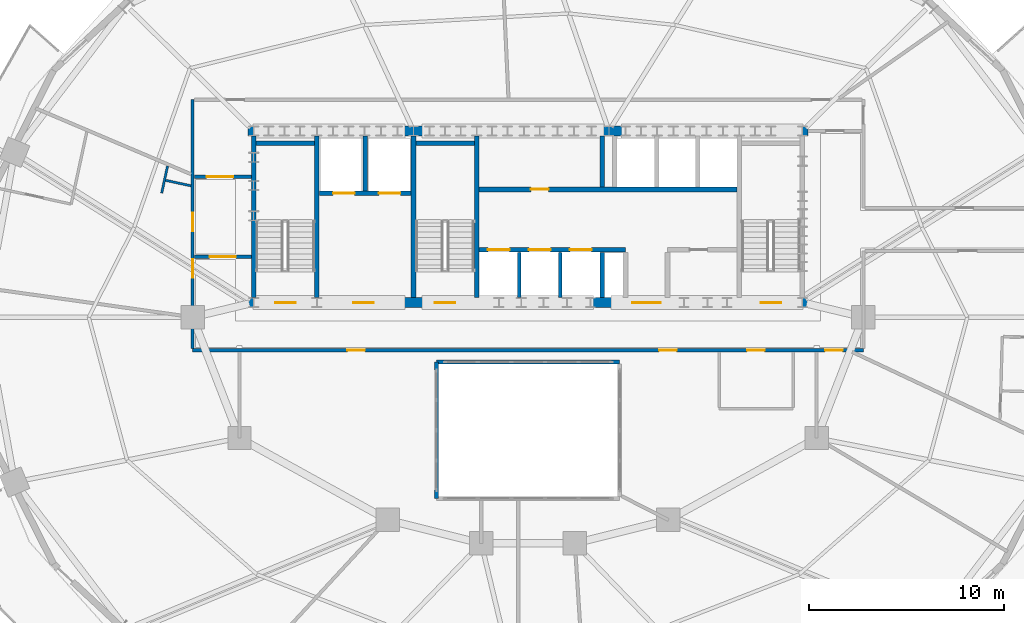
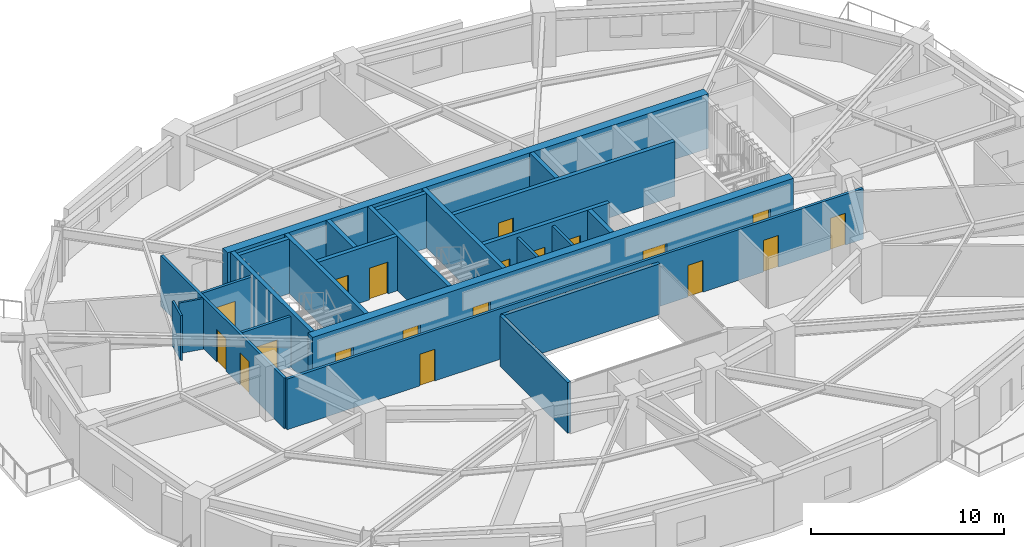
# One storey, part 7 of 13: 24 walls, 19 doors, 19 openings.
"""IFC4 building model written with IfcOpenShell, lengths in metres."""

from ifc_helpers import new_model, si_unit, direction, frame, frame_2d, origin, place, context, subcontext, project, spatial, rectangle, extrude, material, layer, layer_set, type_object, element, fill, save


model = new_model("IFC4")

# Units and contexts
model_context = context("Model", 3, precision=1e-05, world=origin(), true_north=direction((0.0, 1.0)))
body_context = subcontext(model_context, "Body", "Model", "MODEL_VIEW")
ifc_project = project(units=[si_unit("LENGTHUNIT", "METRE"), si_unit("AREAUNIT", "SQUARE_METRE"), si_unit("VOLUMEUNIT", "CUBIC_METRE"), si_unit("PLANEANGLEUNIT", "RADIAN"), si_unit("MASSUNIT", "GRAM", prefix="KILO")], contexts=[model_context])

# Site, building, storey
site_placement = place(None, origin())
site = spatial("IfcSite", under=ifc_project, at=site_placement, CompositionType="ELEMENT")
building_placement = place(site_placement, origin())
building = spatial("IfcBuilding", under=site, at=building_placement, Name="Haldorwick Loom Tower", CompositionType="ELEMENT")
storey_placement = place(building_placement, frame((0.0, 0.0, 120.800048828125)))
storey = spatial("IfcBuildingStorey", under=building, at=storey_placement, Name="L32", CompositionType="ELEMENT", Elevation=120.800048828125)

# Wall, openings, doors
ifc_material_1 = material(Name="Fire-Rated Type X Gypsum Stud Assembly EI 60")
ifc_layer_1 = layer(ifc_material_1, 0.159912109375, Name="Fire-Rated Type X Gypsum Stud Assembly EI 60")
ifc_layer_set_1 = layer_set([ifc_layer_1], Name="Fire-Rated Type X Gypsum Stud Assembly EI 60")
wall_type_1 = type_object("IfcWallType", Name="ARC-WL-FIRE160", PredefinedType="PARTITIONING", material=ifc_layer_set_1)
wall_1_placement = place(storey_placement, frame((18.800048828125, 24.300048828125, 0.0), z_axis=(0.0, 0.0, 1.0), x_axis=(1.0, 0.0, 0.0)))
wall_1 = element("IfcWall", 1, at=wall_1_placement, inside=storey, type_object=wall_type_1, Name="L32 Residential Fire Partition L32-CR-SP", PredefinedType="PARTITIONING", context=body_context, shape_type="SweptSolid", body=[
    extrude(rectangle(XDim=34.39990234375, YDim=0.159912109375, at=frame_2d((17.199951171875, 0.0))), origin(), (0.0, 0.0, 1.0), 3.195068359375),
])
opening_1_placement = place(wall_1_placement, frame((7.929443359375, 0.0, 0.0)))
opening_1 = element("IfcOpeningElement", 2, at=opening_1_placement, cuts=wall_1, Name="Opening D-FD60A", PredefinedType="OPENING", context=body_context, shape_type="SweptSolid", body=[
    extrude(rectangle(XDim=0.89990234375, YDim=2.0, at=frame_2d((0.449951171875, 1.0))), frame((0.0, 0.08984375, 0.0), z_axis=(0.0, -1.0, 0.0), x_axis=(1.0, 0.0, 0.0)), (0.0, 0.0, 1.0), 0.179931640625),
])
opening_2_placement = place(wall_1_placement, frame((23.916748046875, 0.0, 0.0)))
opening_2 = element("IfcOpeningElement", 3, at=opening_2_placement, cuts=wall_1, Name="Opening D-FD60A", PredefinedType="OPENING", context=body_context, shape_type="SweptSolid", body=[
    extrude(rectangle(XDim=0.89990234375, YDim=2.0, at=frame_2d((0.449951171875, 1.0))), frame((0.0, 0.08984375, 0.0), z_axis=(0.0, -1.0, 0.0), x_axis=(1.0, 0.0, 0.0)), (0.0, 0.0, 1.0), 0.179931640625),
])
opening_3_placement = place(wall_1_placement, frame((28.437255859375, 0.0, 0.0)))
opening_3 = element("IfcOpeningElement", 4, at=opening_3_placement, cuts=wall_1, Name="Opening D-FD60A", PredefinedType="OPENING", context=body_context, shape_type="SweptSolid", body=[
    extrude(rectangle(XDim=0.89990234375, YDim=2.0, at=frame_2d((0.449951171875, 1.0))), frame((0.0, 0.08984375, 0.0), z_axis=(0.0, -1.0, 0.0), x_axis=(1.0, 0.0, 0.0)), (0.0, 0.0, 1.0), 0.179931640625),
])
opening_4_placement = place(wall_1_placement, frame((32.436767578125, 0.0, 0.0)))
opening_4 = element("IfcOpeningElement", 5, at=opening_4_placement, cuts=wall_1, Name="Opening D-FD60A", PredefinedType="OPENING", context=body_context, shape_type="SweptSolid", body=[
    extrude(rectangle(XDim=0.89990234375, YDim=2.0, at=frame_2d((0.449951171875, 1.0))), frame((0.0, 0.08984375, 0.0), z_axis=(0.0, -1.0, 0.0), x_axis=(1.0, 0.0, 0.0)), (0.0, 0.0, 1.0), 0.179931640625),
])
ifc_material_2 = material(Name="Hollow Steel Fire Door Assembly", Category="steel")
door_type_1 = type_object("IfcDoorType", Name="ARC-DR-FD60-90", OperationType="NOTDEFINED", PredefinedType="DOOR", material=ifc_material_2)
door_1_placement = place(opening_1_placement, origin())
door_1 = element("IfcDoor", 6, at=door_1_placement, inside=storey, type_object=door_type_1, Name="L32 L32 Central Residential Corridor to Community Library Hall 2 Door", OperationType="SINGLE_SWING_LEFT", OverallHeight=2.0, OverallWidth=0.89990234375, PredefinedType="DOOR", context=body_context, shape_type="SweptSolid", body=[
    extrude(rectangle(XDim=0.89990234375, YDim=2.0, at=frame_2d((0.449951171875, 1.0))), frame((0.0, 0.02490234375, 0.0), z_axis=(0.0, -1.0, 0.0), x_axis=(1.0, 0.0, 0.0)), (0.0, 0.0, 1.0), 0.050048828125),
])
fill(opening_1, door_1)
door_2_placement = place(opening_2_placement, origin())
door_2 = element("IfcDoor", 7, at=door_2_placement, inside=storey, type_object=door_type_1, Name="L32 L32 Central Residential Corridor to Community Library Hall 1 Door", OperationType="SINGLE_SWING_LEFT", OverallHeight=2.0, OverallWidth=0.89990234375, PredefinedType="DOOR", context=body_context, shape_type="SweptSolid", body=[
    extrude(rectangle(XDim=0.89990234375, YDim=2.0, at=frame_2d((0.449951171875, 1.0))), frame((0.0, 0.02490234375, 0.0), z_axis=(0.0, -1.0, 0.0), x_axis=(1.0, 0.0, 0.0)), (0.0, 0.0, 1.0), 0.050048828125),
])
fill(opening_2, door_2)
door_3_placement = place(opening_3_placement, origin())
door_3 = element("IfcDoor", 8, at=door_3_placement, inside=storey, type_object=door_type_1, Name="L32 L32 Central Residential Corridor to Common Accessible WC Door", OperationType="SINGLE_SWING_LEFT", OverallHeight=2.0, OverallWidth=0.89990234375, PredefinedType="DOOR", context=body_context, shape_type="SweptSolid", body=[
    extrude(rectangle(XDim=0.89990234375, YDim=2.0, at=frame_2d((0.449951171875, 1.0))), frame((0.0, 0.02490234375, 0.0), z_axis=(0.0, -1.0, 0.0), x_axis=(1.0, 0.0, 0.0)), (0.0, 0.0, 1.0), 0.050048828125),
])
fill(opening_3, door_3)
door_4_placement = place(opening_4_placement, origin())
door_4 = element("IfcDoor", 9, at=door_4_placement, inside=storey, type_object=door_type_1, Name="L32 L32 Central Residential Corridor to Tenant Meeting Room 1 Door", OperationType="SINGLE_SWING_LEFT", OverallHeight=2.0, OverallWidth=0.89990234375, PredefinedType="DOOR", context=body_context, shape_type="SweptSolid", body=[
    extrude(rectangle(XDim=0.89990234375, YDim=2.0, at=frame_2d((0.449951171875, 1.0))), frame((0.0, 0.02490234375, 0.0), z_axis=(0.0, -1.0, 0.0), x_axis=(1.0, 0.0, 0.0)), (0.0, 0.0, 1.0), 0.050048828125),
])
fill(opening_4, door_4)

wall_2_placement = place(storey_placement, frame((18.800048828125, 24.383056640625, 0.0), z_axis=(0.0, 0.0, 1.0), x_axis=(0.0, 1.0, 0.0)))
wall_2 = element("IfcWall", 10, at=wall_2_placement, inside=storey, type_object=wall_type_1, Name="L32 Residential Fire Partition L32-CR-W0", PredefinedType="PARTITIONING", context=body_context, shape_type="SweptSolid", body=[
    extrude(rectangle(XDim=12.766845703125, YDim=0.159912109375, at=frame_2d((6.38330078125, 0.0))), origin(), (0.0, 0.0, 1.0), 3.195068359375),
])
opening_5_placement = place(wall_2_placement, frame((6.0185546875, 0.0, 0.0)))
opening_5 = element("IfcOpeningElement", 11, at=opening_5_placement, cuts=wall_2, Name="Opening D-FL95", PredefinedType="OPENING", context=body_context, shape_type="SweptSolid", body=[
    extrude(rectangle(XDim=0.949951171875, YDim=2.0400390625, at=frame_2d((0.47509765625, 1.02001953125))), frame((0.0, 0.08984375, 0.0), z_axis=(0.0, -1.0, 0.0), x_axis=(1.0, 0.0, 0.0)), (0.0, 0.0, 1.0), 0.179931640625),
])
opening_6_placement = place(wall_2_placement, frame((3.63232421875, 0.0, 0.0)))
opening_6 = element("IfcOpeningElement", 12, at=opening_6_placement, cuts=wall_2, Name="Opening D-FL95", PredefinedType="OPENING", context=body_context, shape_type="SweptSolid", body=[
    extrude(rectangle(XDim=0.949951171875, YDim=2.0400390625, at=frame_2d((0.47509765625, 1.02001953125))), frame((0.0, 0.08984375, 0.0), z_axis=(0.0, -1.0, 0.0), x_axis=(1.0, 0.0, 0.0)), (0.0, 0.0, 1.0), 0.179931640625),
])
ifc_material_3 = material(Name="Solid Core Birch Architectural Door")
door_type_2 = type_object("IfcDoorType", Name="ARC-DR-FLAT95", OperationType="NOTDEFINED", PredefinedType="DOOR", material=ifc_material_3)
door_5_placement = place(opening_5_placement, frame((0.949951171875, 0.0, 0.0), z_axis=(0.0, 0.0, 1.0), x_axis=(-1.0, 0.0, 0.0)))
door_5 = element("IfcDoor", 13, at=door_5_placement, inside=storey, type_object=door_type_2, Name="L32 Unit 32B Kitchen and Studio Living Room to L32 West Residential Corr", OperationType="SINGLE_SWING_LEFT", OverallHeight=2.0400390625, OverallWidth=0.949951171875, PredefinedType="DOOR", context=body_context, shape_type="SweptSolid", body=[
    extrude(rectangle(XDim=0.949951171875, YDim=2.0400390625, at=frame_2d((0.47509765625, 1.02001953125))), frame((0.0, 0.02490234375, 0.0), z_axis=(0.0, -1.0, 0.0), x_axis=(1.0, 0.0, 0.0)), (0.0, 0.0, 1.0), 0.050048828125),
])
fill(opening_5, door_5)
door_6_placement = place(opening_6_placement, frame((0.949951171875, 0.0, 0.0), z_axis=(0.0, 0.0, 1.0), x_axis=(-1.0, 0.0, 0.0)))
door_6 = element("IfcDoor", 14, at=door_6_placement, inside=storey, type_object=door_type_2, Name="L32 Unit 32B Kitchen and Studio Living Room to L32 Central Residential C", OperationType="SINGLE_SWING_RIGHT", OverallHeight=2.0400390625, OverallWidth=0.949951171875, PredefinedType="DOOR", context=body_context, shape_type="SweptSolid", body=[
    extrude(rectangle(XDim=0.949951171875, YDim=2.0400390625, at=frame_2d((0.47509765625, 1.02001953125))), frame((0.0, 0.02490234375, 0.0), z_axis=(0.0, -1.0, 0.0), x_axis=(1.0, 0.0, 0.0)), (0.0, 0.0, 1.0), 0.050048828125),
])
fill(opening_6, door_6)

# Wall, opening, door
wall_3_placement = place(storey_placement, frame((18.883056640625, 29.10009765625, 0.0), z_axis=(0.0, 0.0, 1.0), x_axis=(1.0, 0.0, 0.0)))
wall_3 = element("IfcWall", 15, at=wall_3_placement, inside=storey, type_object=wall_type_1, Name="L32 Residential Fire Partition L32-CR-WSJ", PredefinedType="PARTITIONING", context=body_context, shape_type="SweptSolid", body=[
    extrude(rectangle(XDim=2.923828125, YDim=0.159912109375, at=frame_2d((1.4619140625, 0.0))), origin(), (0.0, 0.0, 1.0), 3.195068359375),
])
opening_7_placement = place(wall_3_placement, frame((0.787109375, 0.0, 0.0)))
opening_7 = element("IfcOpeningElement", 16, at=opening_7_placement, cuts=wall_3, Name="Opening D-CR15", PredefinedType="OPENING", context=body_context, shape_type="SweptSolid", body=[
    extrude(rectangle(XDim=1.35009765625, YDim=2.0, at=frame_2d((0.675048828125, 1.0))), frame((0.0, 0.08984375, 0.0), z_axis=(0.0, -1.0, 0.0), x_axis=(1.0, 0.0, 0.0)), (0.0, 0.0, 1.0), 0.179931640625),
])
ifc_material_4 = material(Name="Thermally Broken Anodized Aluminium and Tempered Glass", Category="aluminium")
door_type_3 = type_object("IfcDoorType", Name="ARC-DR-COR150", OperationType="NOTDEFINED", PredefinedType="DOOR", material=ifc_material_4)
door_7_placement = place(opening_7_placement, origin())
door_7 = element("IfcDoor", 17, at=door_7_placement, inside=storey, type_object=door_type_3, Name="L32 L32 West Residential Corridor to L32 Central Residential Corridor Do", OperationType="DOUBLE_DOOR_SINGLE_SWING", OverallHeight=2.0, OverallWidth=1.35009765625, PredefinedType="DOOR", context=body_context, shape_type="SweptSolid", body=[
    extrude(rectangle(XDim=1.35009765625, YDim=2.0, at=frame_2d((0.675048828125, 1.0))), frame((0.0, 0.02490234375, 0.0), z_axis=(0.0, -1.0, 0.0), x_axis=(1.0, 0.0, 0.0)), (0.0, 0.0, 1.0), 0.050048828125),
])
fill(opening_7, door_7)

wall_4_placement = place(storey_placement, frame((18.883056640625, 33.199951171875, 0.0), z_axis=(0.0, 0.0, 1.0), x_axis=(1.0, 0.0, 0.0)))
wall_4 = element("IfcWall", 18, at=wall_4_placement, inside=storey, type_object=wall_type_1, Name="L32 Residential Fire Partition L32-CR-WNJ", PredefinedType="PARTITIONING", context=body_context, shape_type="SweptSolid", body=[
    extrude(rectangle(XDim=2.923828125, YDim=0.159912109375, at=frame_2d((1.4619140625, 0.0))), origin(), (0.0, 0.0, 1.0), 3.195068359375),
])
opening_8_placement = place(wall_4_placement, frame((0.637939453125, 0.0, 0.0)))
opening_8 = element("IfcOpeningElement", 19, at=opening_8_placement, cuts=wall_4, Name="Opening D-CR15", PredefinedType="OPENING", context=body_context, shape_type="SweptSolid", body=[
    extrude(rectangle(XDim=1.35009765625, YDim=2.0, at=frame_2d((0.675048828125, 1.0))), frame((0.0, 0.08984375, 0.0), z_axis=(0.0, -1.0, 0.0), x_axis=(1.0, 0.0, 0.0)), (0.0, 0.0, 1.0), 0.179931640625),
])
door_8_placement = place(opening_8_placement, origin())
door_8 = element("IfcDoor", 20, at=door_8_placement, inside=storey, type_object=door_type_3, Name="L32 L32 North Residential Corridor to L32 West Residential Corridor Door", OperationType="DOUBLE_DOOR_SINGLE_SWING", OverallHeight=2.0, OverallWidth=1.35009765625, PredefinedType="DOOR", context=body_context, shape_type="SweptSolid", body=[
    extrude(rectangle(XDim=1.35009765625, YDim=2.0, at=frame_2d((0.675048828125, 1.0))), frame((0.0, 0.02490234375, 0.0), z_axis=(0.0, -1.0, 0.0), x_axis=(1.0, 0.0, 0.0)), (0.0, 0.0, 1.0), 0.050048828125),
])
fill(opening_8, door_8)

# Walls
ifc_material_5 = material(Name="Fire-Rated Type X Gypsum Stud Assembly EI 120")
ifc_layer_2 = layer(ifc_material_5, 0.199951171875, Name="Fire-Rated Type X Gypsum Stud Assembly EI 120")
ifc_layer_set_2 = layer_set([ifc_layer_2], Name="Fire-Rated Type X Gypsum Stud Assembly EI 120")
wall_type_2 = type_object("IfcWallType", Name="ARC-WL-FIRE200", PredefinedType="PARTITIONING", material=ifc_layer_set_2)
wall_5_placement = place(storey_placement, frame((31.300048828125, 23.699951171875, 0.0), z_axis=(0.0, 0.0, 1.0), x_axis=(1.0, 0.0, 0.0)))
element("IfcWall", 21, at=wall_5_placement, inside=storey, type_object=wall_type_2, Name="L32 Atrium Fire Enclosure Wall N", PredefinedType="PARTITIONING", context=body_context, shape_type="SweptSolid", body=[
    extrude(rectangle(XDim=9.39990234375, YDim=0.199951171875, at=frame_2d((4.699951171875, 0.0))), origin(), (0.0, 0.0, 1.0), 3.195068359375),
])
wall_6_placement = place(storey_placement, frame((31.300048828125, 16.699951171875, 0.0), z_axis=(0.0, 0.0, 1.0), x_axis=(0.0, 1.0, 0.0)))
element("IfcWall", 22, at=wall_6_placement, inside=storey, type_object=wall_type_2, Name="L32 Atrium Fire Enclosure Wall W", PredefinedType="PARTITIONING", context=body_context, shape_type="SweptSolid", body=[
    extrude(rectangle(XDim=7.0, YDim=0.199951171875, at=frame_2d((3.5, 0.0))), origin(), (0.0, 0.0, 1.0), 3.195068359375),
])
ifc_material_6 = material(Name="Acoustic Gypsum Stud Assembly STC 55")
ifc_layer_3 = layer(ifc_material_6, 0.1201171875, Name="Acoustic Gypsum Stud Assembly STC 55")
ifc_layer_set_3 = layer_set([ifc_layer_3], Name="Acoustic Gypsum Stud Assembly STC 55")
wall_type_3 = type_object("IfcWallType", Name="ARC-WL-PART120", PredefinedType="PARTITIONING", material=ifc_layer_set_3)
wall_7_placement = place(storey_placement, frame((17.51220703125, 33.750732421875, 0.0), z_axis=(0.0, 0.0, 1.0), x_axis=(-0.21129277594, -0.977422816818, 0.0)))
element("IfcWall", 23, at=wall_7_placement, inside=storey, type_object=wall_type_3, Name="L32 Unit 32B Interior Partition", PredefinedType="PARTITIONING", context=body_context, shape_type="SweptSolid", body=[
    extrude(rectangle(XDim=1.417724609375, YDim=0.1201171875, at=frame_2d((0.708984375, 0.0))), origin(), (0.0, 0.0, 1.0), 2.826904296875),
])
wall_8_placement = place(storey_placement, frame((18.717041015625, 32.735107421875, 0.0), z_axis=(0.0, 0.0, 1.0), x_axis=(-0.977432620784, 0.211247418512, 0.0)))
element("IfcWall", 24, at=wall_8_placement, inside=storey, type_object=wall_type_3, Name="L32 Unit 32B Interior Partition", PredefinedType="PARTITIONING", context=body_context, shape_type="SweptSolid", body=[
    extrude(rectangle(XDim=1.3291015625, YDim=0.1201171875, at=frame_2d((0.66455078125, 0.0))), origin(), (0.0, 0.0, 1.0), 3.195068359375),
])
ifc_layer_4 = layer(ifc_material_5, 0.1650390625, Name="Fire-Rated Type X Gypsum Stud Assembly EI 120")
ifc_layer_set_4 = layer_set([ifc_layer_4], Name="Fire-Rated Type X Gypsum Stud Assembly EI 120")
wall_type_4 = type_object("IfcWallType", Name="ARC-WL-SHAFT160", PredefinedType="MOVABLE", material=ifc_layer_set_4)
for number, where, z_axis, x_axis, name in (
    (25, (35.550048828125, 27.0029296875, 0.0), (0.0, 0.0, 1.0), (0.0, 1.0, 0.0), "L32 Mid-Rise Hoistway Divider 1"),
    (26, (37.64990234375, 27.0029296875, 0.0), (0.0, 0.0, 1.0), (0.0, 1.0, 0.0), "L32 Mid-Rise Hoistway Divider 2"),
):
    element("IfcWall", number, at=place(storey_placement, frame(where, z_axis=z_axis, x_axis=x_axis)), inside=storey, type_object=wall_type_4, Name=name, PredefinedType="MOVABLE", context=body_context, shape_type="SweptSolid", body=[
        extrude(rectangle(XDim=2.323974609375, YDim=0.159912109375, at=frame_2d((1.162109375, 0.0))), origin(), (0.0, 0.0, 1.0), 3.195068359375),
    ])

# Wall, openings, doors
ifc_material_7 = material(Name="Concrete C60 (60 MPa)", Category="concrete")
ifc_layer_5 = layer(ifc_material_7, 0.5, Name="Concrete C60 (60 MPa)", Category="concrete")
ifc_layer_set_5 = layer_set([ifc_layer_5], Name="Concrete C60 (60 MPa)")
wall_type_5 = type_object("IfcWallType", Name="STR-WL-CORE500", PredefinedType="SHEAR", material=ifc_layer_set_5)
wall_9_placement = place(storey_placement, frame((21.64990234375, 26.75, 0.0), z_axis=(0.0, 0.0, 1.0), x_axis=(1.0, 0.0, 0.0)))
wall_9 = element("IfcWall", 27, at=wall_9_placement, inside=storey, type_object=wall_type_5, Name="L32 Core Shear Wall S", PredefinedType="SHEAR", context=body_context, shape_type="SweptSolid", body=[
    extrude(rectangle(XDim=28.7001953125, YDim=0.5, at=frame_2d((14.35009765625, 0.0))), origin(), (0.0, 0.0, 1.0), 3.449951171875),
])
opening_9_placement = place(wall_9_placement, frame((1.375, 0.0, 0.0)))
opening_9 = element("IfcOpeningElement", 28, at=opening_9_placement, cuts=wall_9, Name="Opening D-FD60", PredefinedType="OPENING", context=body_context, shape_type="SweptSolid", body=[
    extrude(rectangle(XDim=1.050048828125, YDim=2.0, at=frame_2d((0.52490234375, 1.0))), frame((0.0, 0.260009765625, 0.0), z_axis=(0.0, -1.0, 0.0), x_axis=(1.0, 0.0, 0.0)), (0.0, 0.0, 1.0), 0.52001953125),
])
opening_10_placement = place(wall_9_placement, frame((5.375, 0.0, 0.0)))
opening_10 = element("IfcOpeningElement", 29, at=opening_10_placement, cuts=wall_9, Name="Opening D-FD60", PredefinedType="OPENING", context=body_context, shape_type="SweptSolid", body=[
    extrude(rectangle(XDim=1.050048828125, YDim=2.0, at=frame_2d((0.52490234375, 1.0))), frame((0.0, 0.260009765625, 0.0), z_axis=(0.0, -1.0, 0.0), x_axis=(1.0, 0.0, 0.0)), (0.0, 0.0, 1.0), 0.52001953125),
])
opening_11_placement = place(wall_9_placement, frame((9.574951171875, 0.0, 0.0)))
opening_11 = element("IfcOpeningElement", 30, at=opening_11_placement, cuts=wall_9, Name="Opening D-FD60", PredefinedType="OPENING", context=body_context, shape_type="SweptSolid", body=[
    extrude(rectangle(XDim=1.050048828125, YDim=2.0, at=frame_2d((0.52490234375, 1.0))), frame((0.0, 0.260009765625, 0.0), z_axis=(0.0, -1.0, 0.0), x_axis=(1.0, 0.0, 0.0)), (0.0, 0.0, 1.0), 0.52001953125),
])
opening_12_placement = place(wall_9_placement, frame((19.705078125, 0.0, 0.0)))
opening_12 = element("IfcOpeningElement", 31, at=opening_12_placement, cuts=wall_9, Name="Opening D-LB15", PredefinedType="OPENING", context=body_context, shape_type="SweptSolid", body=[
    extrude(rectangle(XDim=1.449951171875, YDim=2.0, at=frame_2d((0.72509765625, 1.0))), frame((0.0, 0.260009765625, 0.0), z_axis=(0.0, -1.0, 0.0), x_axis=(1.0, 0.0, 0.0)), (0.0, 0.0, 1.0), 0.52001953125),
])
opening_13_placement = place(wall_9_placement, frame((26.27490234375, 0.0, 0.0)))
opening_13 = element("IfcOpeningElement", 32, at=opening_13_placement, cuts=wall_9, Name="Opening D-FD60", PredefinedType="OPENING", context=body_context, shape_type="SweptSolid", body=[
    extrude(rectangle(XDim=1.050048828125, YDim=2.0, at=frame_2d((0.52490234375, 1.0))), frame((0.0, 0.260009765625, 0.0), z_axis=(0.0, -1.0, 0.0), x_axis=(1.0, 0.0, 0.0)), (0.0, 0.0, 1.0), 0.52001953125),
])
door_type_4 = type_object("IfcDoorType", Name="ARC-DR-FD60", OperationType="NOTDEFINED", PredefinedType="DOOR", material=ifc_material_2)
door_9_placement = place(opening_9_placement, origin())
door_9 = element("IfcDoor", 33, at=door_9_placement, inside=storey, type_object=door_type_4, Name="L32 Exit Stair ST-01 Fire Door", OperationType="SINGLE_SWING_RIGHT", OverallHeight=2.0, OverallWidth=1.050048828125, PredefinedType="DOOR", context=body_context, shape_type="SweptSolid", body=[
    extrude(rectangle(XDim=1.050048828125, YDim=2.0, at=frame_2d((0.52490234375, 1.0))), frame((0.0, 0.02490234375, 0.0), z_axis=(0.0, -1.0, 0.0), x_axis=(1.0, 0.0, 0.0)), (0.0, 0.0, 1.0), 0.050048828125),
])
fill(opening_9, door_9)
door_10_placement = place(opening_10_placement, origin())
door_10 = element("IfcDoor", 34, at=door_10_placement, inside=storey, type_object=door_type_4, Name="L32 Firefighting Lift Lobby Fire Door", OperationType="SINGLE_SWING_LEFT", OverallHeight=2.0, OverallWidth=1.050048828125, PredefinedType="DOOR", context=body_context, shape_type="SweptSolid", body=[
    extrude(rectangle(XDim=1.050048828125, YDim=2.0, at=frame_2d((0.52490234375, 1.0))), frame((0.0, 0.02490234375, 0.0), z_axis=(0.0, -1.0, 0.0), x_axis=(1.0, 0.0, 0.0)), (0.0, 0.0, 1.0), 0.050048828125),
])
fill(opening_10, door_10)
door_11_placement = place(opening_11_placement, origin())
door_11 = element("IfcDoor", 35, at=door_11_placement, inside=storey, type_object=door_type_4, Name="L32 Exit Stair ST-03 Fire Door", OperationType="SINGLE_SWING_LEFT", OverallHeight=2.0, OverallWidth=1.050048828125, PredefinedType="DOOR", context=body_context, shape_type="SweptSolid", body=[
    extrude(rectangle(XDim=1.050048828125, YDim=2.0, at=frame_2d((0.52490234375, 1.0))), frame((0.0, 0.02490234375, 0.0), z_axis=(0.0, -1.0, 0.0), x_axis=(1.0, 0.0, 0.0)), (0.0, 0.0, 1.0), 0.050048828125),
])
fill(opening_11, door_11)
door_12_placement = place(opening_13_placement, origin())
door_12 = element("IfcDoor", 36, at=door_12_placement, inside=storey, type_object=door_type_4, Name="L32 Exit Stair ST-02 Fire Door", OperationType="SINGLE_SWING_LEFT", OverallHeight=2.0, OverallWidth=1.050048828125, PredefinedType="DOOR", context=body_context, shape_type="SweptSolid", body=[
    extrude(rectangle(XDim=1.050048828125, YDim=2.0, at=frame_2d((0.52490234375, 1.0))), frame((0.0, 0.02490234375, 0.0), z_axis=(0.0, -1.0, 0.0), x_axis=(1.0, 0.0, 0.0)), (0.0, 0.0, 1.0), 0.050048828125),
])
fill(opening_13, door_12)
door_type_5 = type_object("IfcDoorType", Name="ARC-DR-LOB150", OperationType="NOTDEFINED", PredefinedType="DOOR", material=ifc_material_4)
door_13_placement = place(opening_12_placement, frame((1.449951171875, 0.0, 0.0), z_axis=(0.0, 0.0, 1.0), x_axis=(-1.0, 0.0, 0.0)))
door_13 = element("IfcDoor", 37, at=door_13_placement, inside=storey, type_object=door_type_5, Name="L32 Passenger Lift Lobby Fire Door", OperationType="DOUBLE_DOOR_SINGLE_SWING", OverallHeight=2.0, OverallWidth=1.449951171875, PredefinedType="DOOR", context=body_context, shape_type="SweptSolid", body=[
    extrude(rectangle(XDim=1.449951171875, YDim=2.0, at=frame_2d((0.72509765625, 1.0))), frame((0.0, 0.02490234375, 0.0), z_axis=(0.0, -1.0, 0.0), x_axis=(1.0, 0.0, 0.0)), (0.0, 0.0, 1.0), 0.050048828125),
])
fill(opening_12, door_13)

# Walls
wall_10_placement = place(storey_placement, frame((50.35009765625, 35.550048828125, 0.0), z_axis=(0.0, 0.0, 1.0), x_axis=(-1.0, 0.0, 0.0)))
element("IfcWall", 38, at=wall_10_placement, inside=storey, type_object=wall_type_5, Name="L32 Core Shear Wall N", PredefinedType="SHEAR", context=body_context, shape_type="SweptSolid", body=[
    extrude(rectangle(XDim=28.7001953125, YDim=0.5, at=frame_2d((14.35009765625, 0.0))), origin(), (0.0, 0.0, 1.0), 3.449951171875),
])
ifc_material_8 = material(Name="Concrete C50 (50 MPa)", Category="concrete")
ifc_layer_6 = layer(ifc_material_8, 0.239990234375, Name="Concrete C50 (50 MPa)", Category="concrete")
ifc_layer_set_6 = layer_set([ifc_layer_6], Name="Concrete C50 (50 MPa)")
wall_type_6 = type_object("IfcWallType", Name="STR-WL-SHAFT240", PredefinedType="SHEAR", material=ifc_layer_set_6)
for number, where, z_axis, x_axis, name in (
    (39, (21.929931640625, 35.297119140625, 0.0), (0.0, 0.0, 1.0), (0.0, -1.0, 0.0), "L32 Core Shear Wall W"),
    (40, (25.169921875, 27.0029296875, 0.0), (0.0, 0.0, 1.0), (0.0, 1.0, 0.0), "L32 Core Shear Wall 1"),
):
    element("IfcWall", number, at=place(storey_placement, frame(where, z_axis=z_axis, x_axis=x_axis)), inside=storey, type_object=wall_type_6, Name=name, PredefinedType="SHEAR", context=body_context, shape_type="SweptSolid", body=[
        extrude(rectangle(XDim=8.294189453125, YDim=0.239990234375, at=frame_2d((4.14697265625, 0.0))), origin(), (0.0, 0.0, 1.0), 3.449951171875),
    ])
wall_11_placement = place(storey_placement, frame((22.052978515625, 34.919921875, 0.0), z_axis=(0.0, 0.0, 1.0), x_axis=(1.0, 0.0, 0.0)))
element("IfcWall", 41, at=wall_11_placement, inside=storey, type_object=wall_type_6, Name="L32 Core Shear Wall 1N", PredefinedType="SHEAR", context=body_context, shape_type="SweptSolid", body=[
    extrude(rectangle(XDim=2.994140625, YDim=0.239990234375, at=frame_2d((1.4970703125, 0.0))), origin(), (0.0, 0.0, 1.0), 3.449951171875),
])
for number, where, z_axis, x_axis, name in (
    (42, (30.1298828125, 27.0029296875, 0.0), (0.0, 0.0, 1.0), (0.0, 1.0, 0.0), "L32 Core Shear Wall 2"),
    (43, (33.3701171875, 27.0029296875, 0.0), (0.0, 0.0, 1.0), (0.0, 1.0, 0.0), "L32 Core Shear Wall 3"),
):
    element("IfcWall", number, at=place(storey_placement, frame(where, z_axis=z_axis, x_axis=x_axis)), inside=storey, type_object=wall_type_6, Name=name, PredefinedType="SHEAR", context=body_context, shape_type="SweptSolid", body=[
        extrude(rectangle(XDim=8.294189453125, YDim=0.239990234375, at=frame_2d((4.14697265625, 0.0))), origin(), (0.0, 0.0, 1.0), 3.449951171875),
    ])
wall_12_placement = place(storey_placement, frame((30.2529296875, 34.919921875, 0.0), z_axis=(0.0, 0.0, 1.0), x_axis=(1.0, 0.0, 0.0)))
element("IfcWall", 44, at=wall_12_placement, inside=storey, type_object=wall_type_6, Name="L32 Core Shear Wall 3N", PredefinedType="SHEAR", context=body_context, shape_type="SweptSolid", body=[
    extrude(rectangle(XDim=2.994140625, YDim=0.239990234375, at=frame_2d((1.4970703125, 0.0))), origin(), (0.0, 0.0, 1.0), 3.449951171875),
])

# Wall, openings, doors
wall_13_placement = place(storey_placement, frame((25.29296875, 32.35009765625, 0.0), z_axis=(0.0, 0.0, 1.0), x_axis=(1.0, 0.0, 0.0)))
wall_13 = element("IfcWall", 45, at=wall_13_placement, inside=storey, type_object=wall_type_6, Name="L32 Core Shear Wall FF", PredefinedType="SHEAR", context=body_context, shape_type="SweptSolid", body=[
    extrude(rectangle(XDim=4.714111328125, YDim=0.239990234375, at=frame_2d((2.35693359375, 0.0))), origin(), (0.0, 0.0, 1.0), 3.449951171875),
])
opening_14_placement = place(wall_13_placement, frame((0.70703125, 0.0, 0.0)))
opening_14 = element("IfcOpeningElement", 46, at=opening_14_placement, cuts=wall_13, Name="Opening LD-FF1", PredefinedType="OPENING", context=body_context, shape_type="SweptSolid", body=[
    extrude(rectangle(XDim=1.10009765625, YDim=2.0, at=frame_2d((0.550048828125, 1.0))), frame((0.0, 0.1298828125, 0.0), z_axis=(0.0, -1.0, 0.0), x_axis=(1.0, 0.0, 0.0)), (0.0, 0.0, 1.0), 0.260009765625),
])
opening_15_placement = place(wall_13_placement, frame((3.056884765625, 0.0, 0.0)))
opening_15 = element("IfcOpeningElement", 47, at=opening_15_placement, cuts=wall_13, Name="Opening LD-FF2", PredefinedType="OPENING", context=body_context, shape_type="SweptSolid", body=[
    extrude(rectangle(XDim=1.10009765625, YDim=2.0, at=frame_2d((0.550048828125, 1.0))), frame((0.0, 0.1298828125, 0.0), z_axis=(0.0, -1.0, 0.0), x_axis=(1.0, 0.0, 0.0)), (0.0, 0.0, 1.0), 0.260009765625),
])
door_type_6 = type_object("IfcDoorType", Name="ARC-DR-LD-FF", OperationType="NOTDEFINED", PredefinedType="USERDEFINED", material=ifc_material_2)
door_14_placement = place(opening_14_placement, origin())
door_14 = element("IfcDoor", 48, at=door_14_placement, inside=storey, type_object=door_type_6, Name="L32 Lift LF-FF1 Sliding Landing Door", ObjectType="LANDING DOOR", OperationType="DOUBLE_DOOR_SLIDING", OverallHeight=2.0, OverallWidth=1.10009765625, PredefinedType="USERDEFINED", context=body_context, shape_type="SweptSolid", body=[
    extrude(rectangle(XDim=1.10009765625, YDim=2.0, at=frame_2d((0.550048828125, 1.0))), frame((0.0, 0.02490234375, 0.0), z_axis=(0.0, -1.0, 0.0), x_axis=(1.0, 0.0, 0.0)), (0.0, 0.0, 1.0), 0.050048828125),
])
fill(opening_14, door_14)
door_15_placement = place(opening_15_placement, origin())
door_15 = element("IfcDoor", 49, at=door_15_placement, inside=storey, type_object=door_type_6, Name="L32 Lift LF-FF2 Sliding Landing Door", ObjectType="LANDING DOOR", OperationType="DOUBLE_DOOR_SLIDING", OverallHeight=2.0, OverallWidth=1.10009765625, PredefinedType="USERDEFINED", context=body_context, shape_type="SweptSolid", body=[
    extrude(rectangle(XDim=1.10009765625, YDim=2.0, at=frame_2d((0.550048828125, 1.0))), frame((0.0, 0.02490234375, 0.0), z_axis=(0.0, -1.0, 0.0), x_axis=(1.0, 0.0, 0.0)), (0.0, 0.0, 1.0), 0.050048828125),
])
fill(opening_15, door_15)

# Wall
wall_14_placement = place(storey_placement, frame((27.64990234375, 32.472900390625, 0.0), z_axis=(0.0, 0.0, 1.0), x_axis=(0.0, 1.0, 0.0)))
element("IfcWall", 50, at=wall_14_placement, inside=storey, type_object=wall_type_6, Name="L32 Core Shear Wall FFD", PredefinedType="SHEAR", context=body_context, shape_type="SweptSolid", body=[
    extrude(rectangle(XDim=2.82421875, YDim=0.239990234375, at=frame_2d((1.412109375, 0.0))), origin(), (0.0, 0.0, 1.0), 3.449951171875),
])

# Wall, opening, door
wall_15_placement = place(storey_placement, frame((33.492919921875, 32.550048828125, 0.0), z_axis=(0.0, 0.0, 1.0), x_axis=(1.0, 0.0, 0.0)))
wall_15 = element("IfcWall", 51, at=wall_15_placement, inside=storey, type_object=wall_type_6, Name="L32 Core Shear Wall LN", PredefinedType="SHEAR", context=body_context, shape_type="SweptSolid", body=[
    extrude(rectangle(XDim=13.214111328125, YDim=0.239990234375, at=frame_2d((6.60693359375, 0.0))), origin(), (0.0, 0.0, 1.0), 3.449951171875),
])
opening_16_placement = place(wall_15_placement, frame((2.656982421875, 0.0, 0.0)))
opening_16 = element("IfcOpeningElement", 52, at=opening_16_placement, cuts=wall_15, Name="Opening D-FD60A", PredefinedType="OPENING", context=body_context, shape_type="SweptSolid", body=[
    extrude(rectangle(XDim=0.89990234375, YDim=2.0, at=frame_2d((0.449951171875, 1.0))), frame((0.0, 0.1298828125, 0.0), z_axis=(0.0, -1.0, 0.0), x_axis=(1.0, 0.0, 0.0)), (0.0, 0.0, 1.0), 0.260009765625),
])
door_16_placement = place(opening_16_placement, frame((0.89990234375, 0.0, 0.0), z_axis=(0.0, 0.0, 1.0), x_axis=(-1.0, 0.0, 0.0)))
door_16 = element("IfcDoor", 53, at=door_16_placement, inside=storey, type_object=door_type_1, Name="L32 Housekeeping Store Door", OperationType="SINGLE_SWING_LEFT", OverallHeight=2.0, OverallWidth=0.89990234375, PredefinedType="DOOR", context=body_context, shape_type="SweptSolid", body=[
    extrude(rectangle(XDim=0.89990234375, YDim=2.0, at=frame_2d((0.449951171875, 1.0))), frame((0.0, 0.02490234375, 0.0), z_axis=(0.0, -1.0, 0.0), x_axis=(1.0, 0.0, 0.0)), (0.0, 0.0, 1.0), 0.050048828125),
])
fill(opening_16, door_16)

# Wall, openings, doors
wall_16_placement = place(storey_placement, frame((33.492919921875, 29.449951171875, 0.0), z_axis=(0.0, 0.0, 1.0), x_axis=(1.0, 0.0, 0.0)))
wall_16 = element("IfcWall", 54, at=wall_16_placement, inside=storey, type_object=wall_type_6, Name="L32 Core Shear Wall LS1", PredefinedType="SHEAR", context=body_context, shape_type="SweptSolid", body=[
    extrude(rectangle(XDim=7.507080078125, YDim=0.239990234375, at=frame_2d((3.75341796875, 0.0))), origin(), (0.0, 0.0, 1.0), 3.449951171875),
])
opening_17_placement = place(wall_16_placement, frame((0.447021484375, 0.0, 0.0)))
opening_17 = element("IfcOpeningElement", 55, at=opening_17_placement, cuts=wall_16, Name="Opening LD-M1", PredefinedType="OPENING", context=body_context, shape_type="SweptSolid", body=[
    extrude(rectangle(XDim=1.1201171875, YDim=2.0, at=frame_2d((0.56005859375, 1.0))), frame((0.0, 0.1298828125, 0.0), z_axis=(0.0, -1.0, 0.0), x_axis=(1.0, 0.0, 0.0)), (0.0, 0.0, 1.0), 0.260009765625),
])
opening_18_placement = place(wall_16_placement, frame((2.547119140625, 0.0, 0.0)))
opening_18 = element("IfcOpeningElement", 56, at=opening_18_placement, cuts=wall_16, Name="Opening LD-M2", PredefinedType="OPENING", context=body_context, shape_type="SweptSolid", body=[
    extrude(rectangle(XDim=1.1201171875, YDim=2.0, at=frame_2d((0.56005859375, 1.0))), frame((0.0, 0.1298828125, 0.0), z_axis=(0.0, -1.0, 0.0), x_axis=(1.0, 0.0, 0.0)), (0.0, 0.0, 1.0), 0.260009765625),
])
opening_19_placement = place(wall_16_placement, frame((4.64697265625, 0.0, 0.0)))
opening_19 = element("IfcOpeningElement", 57, at=opening_19_placement, cuts=wall_16, Name="Opening LD-M3", PredefinedType="OPENING", context=body_context, shape_type="SweptSolid", body=[
    extrude(rectangle(XDim=1.1201171875, YDim=2.0, at=frame_2d((0.56005859375, 1.0))), frame((0.0, 0.1298828125, 0.0), z_axis=(0.0, -1.0, 0.0), x_axis=(1.0, 0.0, 0.0)), (0.0, 0.0, 1.0), 0.260009765625),
])
door_type_7 = type_object("IfcDoorType", Name="ARC-DR-LD-PAX", OperationType="NOTDEFINED", PredefinedType="USERDEFINED", material=ifc_material_2)
door_17_placement = place(opening_17_placement, origin())
door_17 = element("IfcDoor", 58, at=door_17_placement, inside=storey, type_object=door_type_7, Name="L32 Lift LF-M1 Sliding Landing Door", ObjectType="LANDING DOOR", OperationType="DOUBLE_DOOR_SLIDING", OverallHeight=2.0, OverallWidth=1.1201171875, PredefinedType="USERDEFINED", context=body_context, shape_type="SweptSolid", body=[
    extrude(rectangle(XDim=1.1201171875, YDim=2.0, at=frame_2d((0.56005859375, 1.0))), frame((0.0, 0.02490234375, 0.0), z_axis=(0.0, -1.0, 0.0), x_axis=(1.0, 0.0, 0.0)), (0.0, 0.0, 1.0), 0.050048828125),
])
fill(opening_17, door_17)
door_18_placement = place(opening_18_placement, origin())
door_18 = element("IfcDoor", 59, at=door_18_placement, inside=storey, type_object=door_type_7, Name="L32 Lift LF-M2 Sliding Landing Door", ObjectType="LANDING DOOR", OperationType="DOUBLE_DOOR_SLIDING", OverallHeight=2.0, OverallWidth=1.1201171875, PredefinedType="USERDEFINED", context=body_context, shape_type="SweptSolid", body=[
    extrude(rectangle(XDim=1.1201171875, YDim=2.0, at=frame_2d((0.56005859375, 1.0))), frame((0.0, 0.02490234375, 0.0), z_axis=(0.0, -1.0, 0.0), x_axis=(1.0, 0.0, 0.0)), (0.0, 0.0, 1.0), 0.050048828125),
])
fill(opening_18, door_18)
door_19_placement = place(opening_19_placement, origin())
door_19 = element("IfcDoor", 60, at=door_19_placement, inside=storey, type_object=door_type_7, Name="L32 Lift LF-M3 Sliding Landing Door", ObjectType="LANDING DOOR", OperationType="DOUBLE_DOOR_SLIDING", OverallHeight=2.0, OverallWidth=1.1201171875, PredefinedType="USERDEFINED", context=body_context, shape_type="SweptSolid", body=[
    extrude(rectangle(XDim=1.1201171875, YDim=2.0, at=frame_2d((0.56005859375, 1.0))), frame((0.0, 0.02490234375, 0.0), z_axis=(0.0, -1.0, 0.0), x_axis=(1.0, 0.0, 0.0)), (0.0, 0.0, 1.0), 0.050048828125),
])
fill(opening_19, door_19)

# Walls
wall_17_placement = place(storey_placement, frame((39.800048828125, 32.673095703125, 0.0), z_axis=(0.0, 0.0, 1.0), x_axis=(0.0, 1.0, 0.0)))
element("IfcWall", 61, at=wall_17_placement, inside=storey, type_object=wall_type_6, Name="L32 Core Shear Wall LHW", PredefinedType="SHEAR", context=body_context, shape_type="SweptSolid", body=[
    extrude(rectangle(XDim=2.6240234375, YDim=0.239990234375, at=frame_2d((1.31201171875, 0.0))), origin(), (0.0, 0.0, 1.0), 3.449951171875),
])
wall_18_placement = place(storey_placement, frame((39.800048828125, 27.0029296875, 0.0), z_axis=(0.0, 0.0, 1.0), x_axis=(0.0, 1.0, 0.0)))
element("IfcWall", 62, at=wall_18_placement, inside=storey, type_object=wall_type_6, Name="L32 Core Shear Wall MRW", PredefinedType="SHEAR", context=body_context, shape_type="SweptSolid", body=[
    extrude(rectangle(XDim=2.323974609375, YDim=0.239990234375, at=frame_2d((1.162109375, 0.0))), origin(), (0.0, 0.0, 1.0), 3.449951171875),
])

save(model, "model.ifc")
